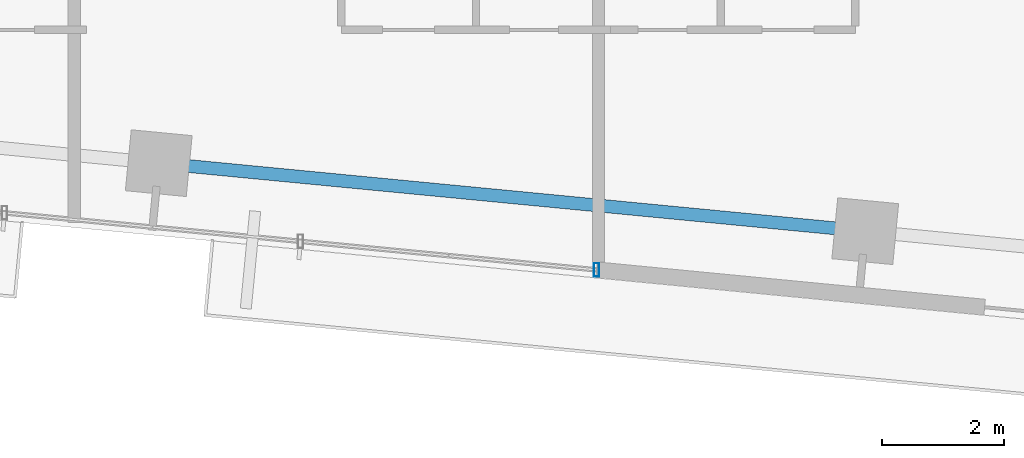
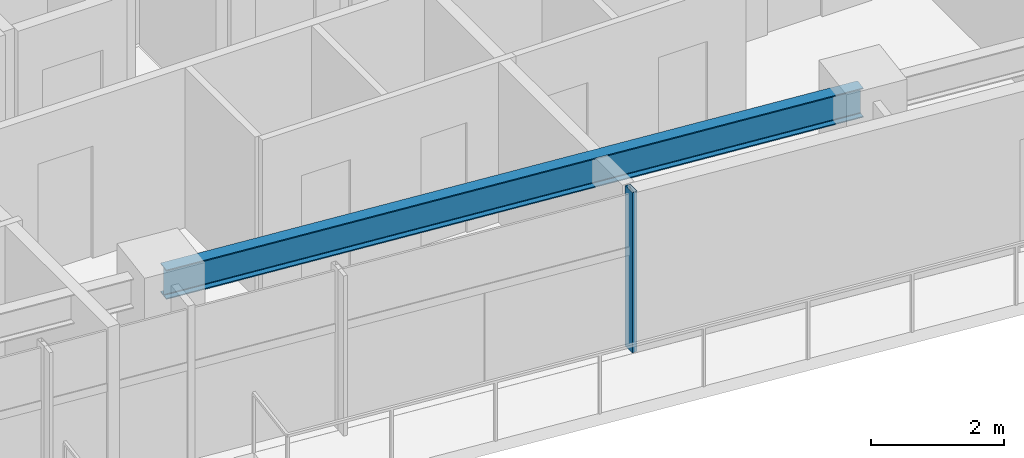
# One storey, part 9 of 20: 1 beam, 1 member, 1 element without a shape of its own.
"""IFC4 building model written with IfcOpenShell, lengths in metres."""

from ifc_helpers import new_model, si_unit, direction, frame, origin, origin_2d, place, context, subcontext, project, spatial, hollow_rectangle, i_section, extrude, source, transform, mapped, material, material_profile, profile_set, type_object, type_shapes, element, aggregate, save


model = new_model("IFC4")

# Units and contexts
model_context = context("Model", 3, precision=1e-05, world=origin(), true_north=direction((0.0, 1.0)))
body_context = subcontext(model_context, "Body", "Model", "MODEL_VIEW")
ifc_project = project(units=[si_unit("LENGTHUNIT", "METRE"), si_unit("AREAUNIT", "SQUARE_METRE"), si_unit("VOLUMEUNIT", "CUBIC_METRE"), si_unit("PLANEANGLEUNIT", "RADIAN"), si_unit("MASSUNIT", "GRAM", prefix="KILO")], contexts=[model_context])

# Site, building, storey
site_placement = place(None, origin())
site = spatial("IfcSite", under=ifc_project, at=site_placement, CompositionType="ELEMENT")
building_placement = place(site_placement, origin())
building = spatial("IfcBuilding", under=site, at=building_placement, Name="Astriad Promenade Condominiums", CompositionType="ELEMENT")
storey_placement = place(building_placement, frame((0.0, 0.0, 156.60009765625)))
storey = spatial("IfcBuildingStorey", under=building, at=storey_placement, Name="L45", CompositionType="ELEMENT", Elevation=156.60009765625)

# Beam
ifc_material_1 = material(Name="Steel ASTM A992 Grade 50", Category="steel")
ifc_material_profile_1 = material_profile(ifc_material_1, i_section(OverallWidth=0.210693359375, OverallDepth=0.53955078125, WebThickness=0.01171875, FlangeThickness=0.018798828125, FilletRadius=0.0166015625, at=origin_2d()), Name="W21X73")
ifc_profile_set_1 = profile_set([ifc_material_profile_1], Name="Steel ASTM A992 Grade 50")
beam_type = type_object("IfcBeamType", Name="STEEL SPANDREL BEAM W21X73", PredefinedType="SPANDREL", material=ifc_profile_set_1)
shared_shape_1 = source(origin(), body_context, "Body", "SweptSolid", [
    extrude(i_section(OverallWidth=0.210693359375, OverallDepth=0.53955078125, WebThickness=0.01171875, FlangeThickness=0.018798828125, FilletRadius=0.0166015625, at=origin_2d()), origin(), (0.0, 0.0, 1.0), 11.52001953125),
])
type_shapes(beam_type, [shared_shape_1])
beam_placement = place(storey_placement, frame((32.013671875, 8.2158203125, 2.670166015625), z_axis=(0.995397412028, -0.095833147335, 0.0), x_axis=(0.095833147335, 0.995397412028, 0.0)))
element("IfcBeam", 1, at=beam_placement, inside=storey, type_object=beam_type, Name="Perimeter Spandrel Beam SP-S3-L45", PredefinedType="SPANDREL", context=body_context, shape_type="MappedRepresentation", body=[
    mapped(shared_shape_1, transform((0.0, 0.0, 0.0), scale=1.0)),
])

# Curtain wall, member
ifc_material_2 = material(Name="Anodised aluminium Black Dark Glass Unitised", Category="aluminium")
curtain_wall_type = type_object("IfcCurtainWallType", Name="CW-B34-DARK", PredefinedType="USERDEFINED", material=ifc_material_2)
curtain_wall_placement = place(storey_placement, origin())
curtain_wall = element("IfcCurtainWall", 2, at=curtain_wall_placement, inside=storey, type_object=curtain_wall_type, Name="CW-L45-S", ObjectType="UNITISED_CURTAIN_WALL", PredefinedType="USERDEFINED")
ifc_material_3 = material(Name="Anodised aluminium 6063-T6 Black", Category="aluminium")
ifc_material_profile_2 = material_profile(ifc_material_3, hollow_rectangle(XDim=0.0849609375, YDim=0.219970703125, WallThickness=0.0048828125, at=origin_2d()), Name="ALU-MUL-85X220")
ifc_profile_set_2 = profile_set([ifc_material_profile_2], Name="Anodised aluminium 6063-T6 Black")
member_type = type_object("IfcMemberType", Name="MUL-ALU-MUL-85X220", PredefinedType="MULLION", material=ifc_profile_set_2)
shared_shape_2 = source(origin(), body_context, "Body", "SweptSolid", [
    extrude(hollow_rectangle(XDim=0.0849609375, YDim=0.219970703125, WallThickness=0.0048828125, at=origin_2d()), origin(), (0.0, 0.0, 1.0), 2.93994140625),
])
type_shapes(member_type, [shared_shape_2])
member_placement = place(storey_placement, frame((39.129638671875, 6.475830078125, 0.0), z_axis=(0.0, 0.0, 1.0), x_axis=(1.0, 0.0, 0.0)))
member = element("IfcMember", 3, at=member_placement, type_object=member_type, Name="CW-L45-S-MUL-00", PredefinedType="MULLION", context=body_context, shape_type="MappedRepresentation", body=[
    mapped(shared_shape_2, transform((0.0, 0.0, 0.0), scale=1.0)),
])
aggregate(curtain_wall, [member])

save(model, "model.ifc")
